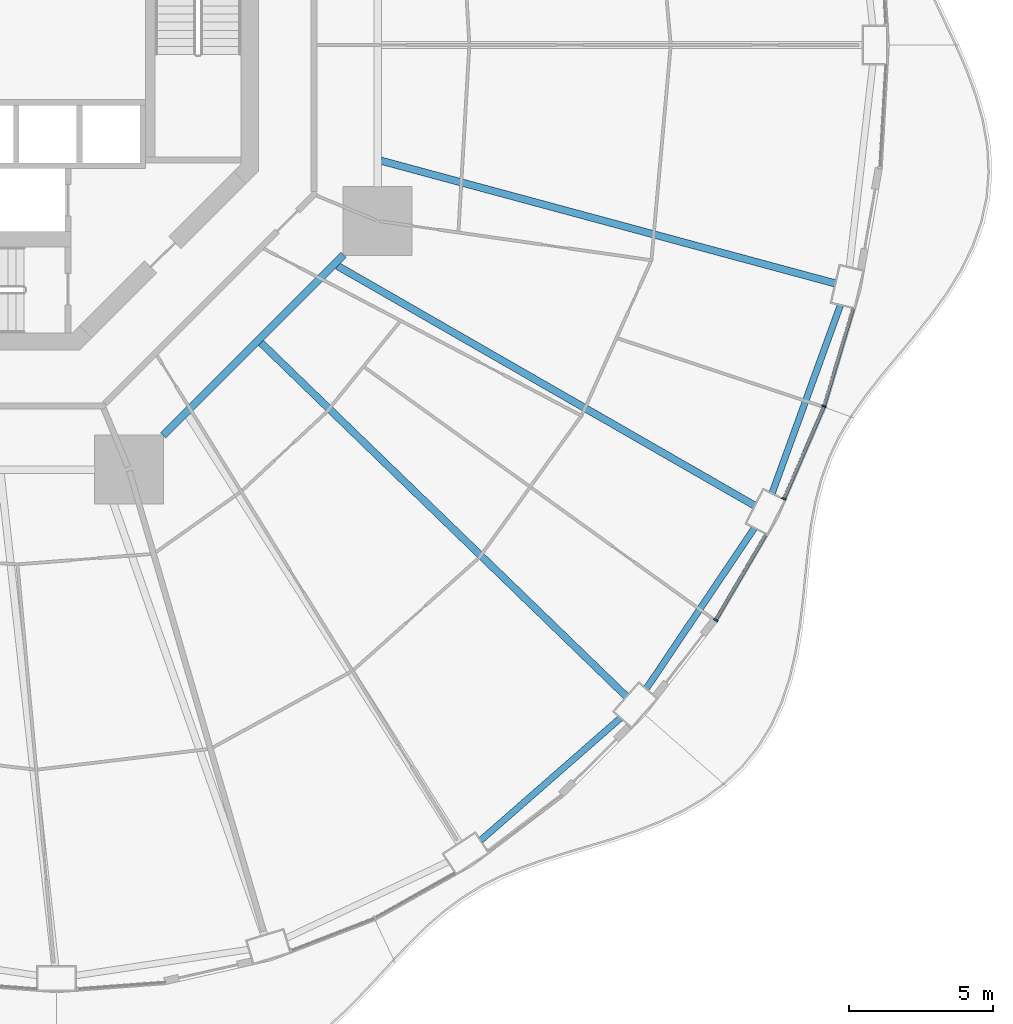
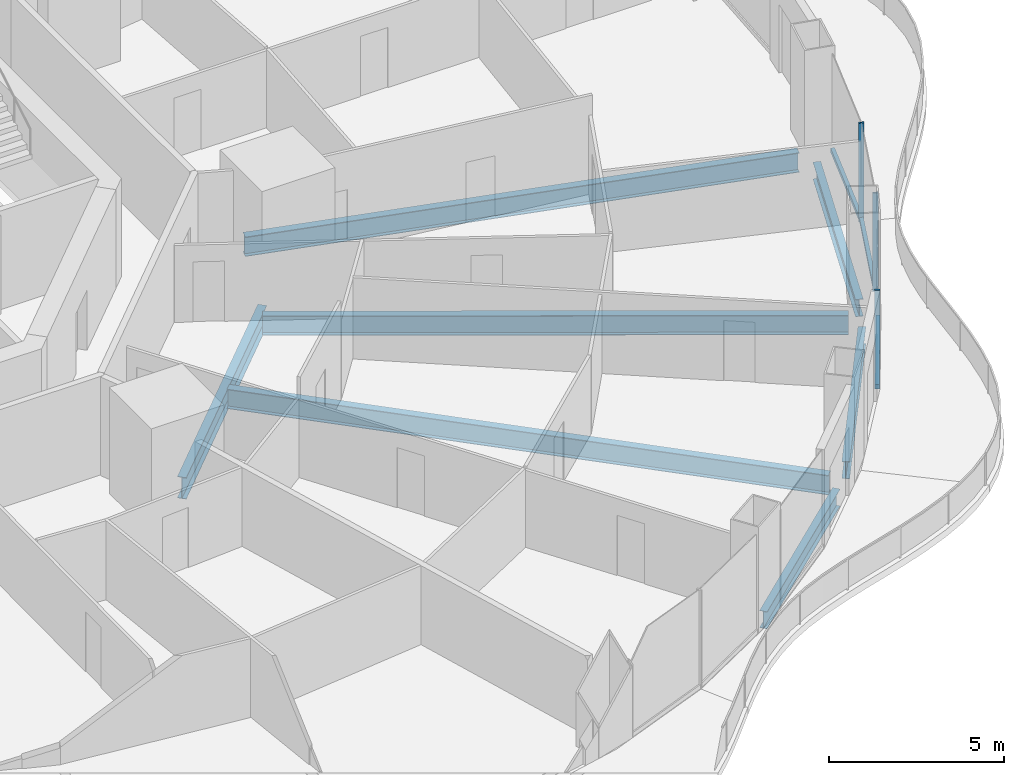
# One storey, part 5 of 22: 7 beams, 6 members, 3 elements without a shape of their own.
"""IFC4 building model written with IfcOpenShell, lengths in metres."""

from ifc_helpers import new_model, si_unit, direction, frame, origin, origin_2d, place, context, subcontext, project, spatial, rectangle, i_section, extrude, material, layer, layer_set, material_profile, profile_set, type_object, element, aggregate, save


model = new_model("IFC4")

# Units and contexts
model_context = context("Model", 3, precision=1e-05, world=origin(), true_north=direction((0.0, 1.0)))
body_context = subcontext(model_context, "Body", "Model", "MODEL_VIEW")
ifc_project = project(units=[si_unit("LENGTHUNIT", "METRE"), si_unit("AREAUNIT", "SQUARE_METRE"), si_unit("VOLUMEUNIT", "CUBIC_METRE"), si_unit("PLANEANGLEUNIT", "RADIAN"), si_unit("MASSUNIT", "GRAM", prefix="KILO")], contexts=[model_context])

# Site, building, storey
site_placement = place(None, origin())
site = spatial("IfcSite", under=ifc_project, at=site_placement, CompositionType="ELEMENT")
building_placement = place(site_placement, origin())
building = spatial("IfcBuilding", under=site, at=building_placement, Name="Nagisa Residences", CompositionType="ELEMENT")
storey_placement = place(building_placement, frame((0.0, 0.0, 38.10009765625)))
storey = spatial("IfcBuildingStorey", under=building, at=storey_placement, Name="L08", CompositionType="ELEMENT", Elevation=38.10009765625)

# Curtain wall, member
ifc_material_1 = material(Name="Concrete-coloured aluminium curtain wall system", Category="concrete")
ifc_layer = layer(ifc_material_1, 0.159912109375)
ifc_layer_set = layer_set([ifc_layer], Name="CW1 CURTAIN WALL")
curtain_wall_type = type_object("IfcCurtainWallType", Name="CW1 CURTAIN WALL", PredefinedType="NOTDEFINED", material=ifc_layer_set)
curtain_wall_1_placement = place(storey_placement, origin())
curtain_wall_1 = element("IfcCurtainWall", 1, at=curtain_wall_1_placement, inside=storey, type_object=curtain_wall_type, Name="cw:CW1:L08:43", PredefinedType="NOTDEFINED")
ifc_material_2 = material(Name="Concrete-coloured aluminium", Category="concrete")
ifc_material_profile_1 = material_profile(ifc_material_2, rectangle(XDim=0.159912109375, YDim=0.06005859375, at=origin_2d()), Name="CW1 MULLION 160x60")
ifc_profile_set_1 = profile_set([ifc_material_profile_1], Name="Concrete-coloured aluminium")
member_type_1 = type_object("IfcMemberType", Name="CW1 MULLION 160x60", PredefinedType="MULLION", material=ifc_profile_set_1)
member_1_placement = place(storey_placement, frame((26.553466796875, -20.022705078125, 0.0), z_axis=(0.0, 0.0, 1.0), x_axis=(-0.862328898214, 0.506348567002, 0.0)))
member_1 = element("IfcMember", 2, at=member_1_placement, type_object=member_type_1, Name="CW1 mullion", PredefinedType="MULLION", context=body_context, shape_type="SweptSolid", body=[
    extrude(rectangle(XDim=0.159912109375, YDim=0.06005859375, at=origin_2d()), origin(), (0.0, 0.0, 1.0), 3.43994140625),
])

curtain_wall_2_placement = place(storey_placement, origin())
curtain_wall_2 = element("IfcCurtainWall", 3, at=curtain_wall_2_placement, inside=storey, type_object=curtain_wall_type, Name="cw:CW1:L08:44", PredefinedType="NOTDEFINED")
member_2_placement = place(storey_placement, frame((28.931640625, -15.79833984375, 0.0), z_axis=(0.0, 0.0, 1.0), x_axis=(-0.917543276295, 0.397635934147, 0.0)))
member_2 = element("IfcMember", 4, at=member_2_placement, type_object=member_type_1, Name="CW1 mullion", PredefinedType="MULLION", context=body_context, shape_type="SweptSolid", body=[
    extrude(rectangle(XDim=0.159912109375, YDim=0.06005859375, at=origin_2d()), origin(), (0.0, 0.0, 1.0), 3.43994140625),
])

curtain_wall_3_placement = place(storey_placement, origin())
curtain_wall_3 = element("IfcCurtainWall", 5, at=curtain_wall_3_placement, inside=storey, type_object=curtain_wall_type, Name="cw:CW1:L08:45", PredefinedType="NOTDEFINED")
member_3_placement = place(storey_placement, frame((30.324462890625, -12.576904296875, 0.0), z_axis=(0.0, 0.0, 1.0), x_axis=(-0.958271310082, 0.285860274038, 0.0)))
member_3 = element("IfcMember", 6, at=member_3_placement, type_object=member_type_1, Name="CW1 mullion", PredefinedType="MULLION", context=body_context, shape_type="SweptSolid", body=[
    extrude(rectangle(XDim=0.159912109375, YDim=0.06005859375, at=origin_2d()), origin(), (0.0, 0.0, 1.0), 3.43994140625),
])

# Member
ifc_material_3 = material(Name="Concrete-coloured aluminium", Category="concrete")
ifc_material_profile_2 = material_profile(ifc_material_3, rectangle(XDim=0.1201171875, YDim=0.14990234375, at=origin_2d()), Name="CW1 TRANSOM 120x150")
ifc_profile_set_2 = profile_set([ifc_material_profile_2], Name="Concrete-coloured aluminium")
member_type_2 = type_object("IfcMemberType", Name="CW1 TRANSOM 120x150", PredefinedType="USERDEFINED", material=ifc_profile_set_2)
member_4_placement = place(storey_placement, frame((26.538330078125, -20.048583984375, 0.074951171875), z_axis=(0.506341951316, 0.862332782827, 0.0), x_axis=(-0.862332782827, 0.506341951316, 0.0)))
member_4 = element("IfcMember", 7, at=member_4_placement, type_object=member_type_2, Name="CW1 transom", ObjectType="TRANSOM", PredefinedType="USERDEFINED", context=body_context, shape_type="SweptSolid", body=[
    extrude(rectangle(XDim=0.1201171875, YDim=0.14990234375, at=origin_2d()), origin(), (0.0, 0.0, 1.0), 3.4619140625),
])

aggregate(curtain_wall_1, [member_1, member_4])

member_5_placement = place(storey_placement, frame((28.919677734375, -15.825927734375, 0.074951171875), z_axis=(0.397624958345, 0.917548032803, 0.0), x_axis=(-0.917548032803, 0.397624958345, 0.0)))
member_5 = element("IfcMember", 8, at=member_5_placement, type_object=member_type_2, Name="CW1 transom", ObjectType="TRANSOM", PredefinedType="USERDEFINED", context=body_context, shape_type="SweptSolid", body=[
    extrude(rectangle(XDim=0.1201171875, YDim=0.14990234375, at=origin_2d()), origin(), (0.0, 0.0, 1.0), 3.51953125),
])

aggregate(curtain_wall_2, [member_2, member_5])

member_6_placement = place(storey_placement, frame((30.31591796875, -12.605712890625, 0.074951171875), z_axis=(0.285871309426, 0.958268018065, 0.0), x_axis=(-0.958268018065, 0.285871309426, 0.0)))
member_6 = element("IfcMember", 9, at=member_6_placement, type_object=member_type_2, Name="CW1 transom", ObjectType="TRANSOM", PredefinedType="USERDEFINED", context=body_context, shape_type="SweptSolid", body=[
    extrude(rectangle(XDim=0.1201171875, YDim=0.14990234375, at=origin_2d()), origin(), (0.0, 0.0, 1.0), 3.5654296875),
])

aggregate(curtain_wall_3, [member_3, member_6])

# Beams
ifc_material_4 = material(Name="Steel ASTM A572 Gr 50", Category="steel")
ifc_material_profile_3 = material_profile(ifc_material_4, i_section(OverallWidth=0.264892578125, OverallDepth=0.7529296875, WebThickness=0.01318359375, FlangeThickness=0.01708984375, at=origin_2d()), Name="W760x147")
ifc_profile_set_3 = profile_set([ifc_material_profile_3], Name="Steel ASTM A572 Gr 50")
beam_type_1 = type_object("IfcBeamType", Name="Inner ring beam W760x147", PredefinedType="BEAM", material=ifc_profile_set_3)
beam_1_placement = place(storey_placement, frame((7.308837890625, -13.59619140625, -0.63671875), z_axis=(0.707106781187, 0.707106781187, 0.0), x_axis=(-0.707106781187, 0.707106781187, 0.0)))
element("IfcBeam", 10, at=beam_1_placement, inside=storey, type_object=beam_type_1, Name="beam:L08:ib7", PredefinedType="BEAM", context=body_context, shape_type="SweptSolid", body=[
    extrude(i_section(OverallWidth=0.264892578125, OverallDepth=0.7529296875, WebThickness=0.01318359375, FlangeThickness=0.01708984375, at=origin_2d()), origin(), (0.0, 0.0, 1.0), 8.8916015625),
])
ifc_material_5 = material(Name="Steel ASTM A572 Gr 50", Category="steel")
ifc_material_profile_4 = material_profile(ifc_material_5, i_section(OverallWidth=0.22802734375, OverallDepth=0.60302734375, WebThickness=0.010498046875, FlangeThickness=0.014892578125, at=origin_2d()), Name="W610x101")
ifc_profile_set_4 = profile_set([ifc_material_profile_4], Name="Steel ASTM A572 Gr 50")
beam_type_2 = type_object("IfcBeamType", Name="Perimeter ring beam W610x101", PredefinedType="BEAM", material=ifc_profile_set_4)
beam_2_placement = place(storey_placement, frame((18.36669921875, -27.693603515625, -0.5615234375), z_axis=(0.7525907186, 0.658488580217, 0.0), x_axis=(-0.658488580217, 0.7525907186, 0.0)))
element("IfcBeam", 11, at=beam_2_placement, inside=storey, type_object=beam_type_2, Name="beam:L08:pb21", PredefinedType="BEAM", context=body_context, shape_type="SweptSolid", body=[
    extrude(i_section(OverallWidth=0.22802734375, OverallDepth=0.60302734375, WebThickness=0.010498046875, FlangeThickness=0.014892578125, at=origin_2d()), origin(), (0.0, 0.0, 1.0), 6.470458984375),
])
beam_3_placement = place(storey_placement, frame((24.135498046875, -22.411865234375, -0.5615234375), z_axis=(0.558271879663, 0.829658067144, 0.0), x_axis=(-0.829658067144, 0.558271879663, 0.0)))
element("IfcBeam", 12, at=beam_3_placement, inside=storey, type_object=beam_type_2, Name="beam:L08:pb22", PredefinedType="BEAM", context=body_context, shape_type="SweptSolid", body=[
    extrude(i_section(OverallWidth=0.22802734375, OverallDepth=0.60302734375, WebThickness=0.010498046875, FlangeThickness=0.014892578125, at=origin_2d()), origin(), (0.0, 0.0, 1.0), 6.74169921875),
])
beam_4_placement = place(storey_placement, frame((28.515625, -15.60595703125, -0.5615234375), z_axis=(0.341411143183, 0.939914055279, 0.0), x_axis=(-0.939914055279, 0.341411143183, 0.0)))
element("IfcBeam", 13, at=beam_4_placement, inside=storey, type_object=beam_type_2, Name="beam:L08:pb23", PredefinedType="BEAM", context=body_context, shape_type="SweptSolid", body=[
    extrude(i_section(OverallWidth=0.22802734375, OverallDepth=0.60302734375, WebThickness=0.010498046875, FlangeThickness=0.014892578125, at=origin_2d()), origin(), (0.0, 0.0, 1.0), 6.96923828125),
])
ifc_material_6 = material(Name="Steel ASTM A572 Gr 50", Category="steel")
ifc_material_profile_5 = material_profile(ifc_material_6, i_section(OverallWidth=0.25390625, OverallDepth=0.68408203125, WebThickness=0.012451171875, FlangeThickness=0.018798828125, at=origin_2d()), Name="W690x140")
ifc_profile_set_5 = profile_set([ifc_material_profile_5], Name="Steel ASTM A572 Gr 50")
beam_type_3 = type_object("IfcBeamType", Name="Radial beam W690x140", PredefinedType="BEAM", material=ifc_profile_set_5)
beam_5_placement = place(storey_placement, frame((23.443115234375, -22.681640625, -0.60205078125), z_axis=(-0.718678305776, 0.695342716081, 0.0), x_axis=(-0.695342716081, -0.718678305776, 0.0)))
element("IfcBeam", 14, at=beam_5_placement, inside=storey, type_object=beam_type_3, Name="beam:L08:rb22", PredefinedType="BEAM", context=body_context, shape_type="SweptSolid", body=[
    extrude(i_section(OverallWidth=0.25390625, OverallDepth=0.68408203125, WebThickness=0.012451171875, FlangeThickness=0.018798828125, at=origin_2d()), origin(), (0.0, 0.0, 1.0), 17.722900390625),
])
beam_6_placement = place(storey_placement, frame((27.908447265625, -16.035400390625, -0.60205078125), z_axis=(-0.867068052258, 0.498189715623, 0.0), x_axis=(-0.498189715623, -0.867068052258, 0.0)))
element("IfcBeam", 15, at=beam_6_placement, inside=storey, type_object=beam_type_3, Name="beam:L08:rb23", PredefinedType="BEAM", context=body_context, shape_type="SweptSolid", body=[
    extrude(i_section(OverallWidth=0.25390625, OverallDepth=0.68408203125, WebThickness=0.012451171875, FlangeThickness=0.018798828125, at=origin_2d()), origin(), (0.0, 0.0, 1.0), 16.758056640625),
])
beam_7_placement = place(storey_placement, frame((30.713623046875, -8.29931640625, -0.60205078125), z_axis=(-0.965375968847, 0.260862490162, 0.0), x_axis=(-0.260862490162, -0.965375968847, 0.0)))
element("IfcBeam", 16, at=beam_7_placement, inside=storey, type_object=beam_type_3, Name="beam:L08:rb24", PredefinedType="BEAM", context=body_context, shape_type="SweptSolid", body=[
    extrude(i_section(OverallWidth=0.25390625, OverallDepth=0.68408203125, WebThickness=0.012451171875, FlangeThickness=0.018798828125, at=origin_2d()), origin(), (0.0, 0.0, 1.0), 16.3857421875),
])

save(model, "model.ifc")
